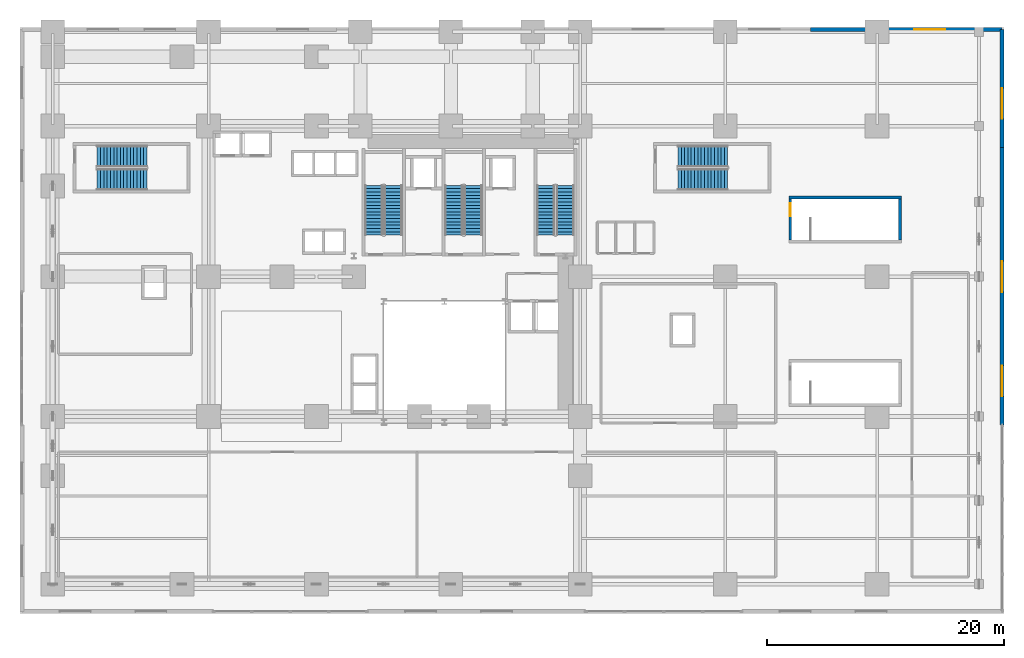
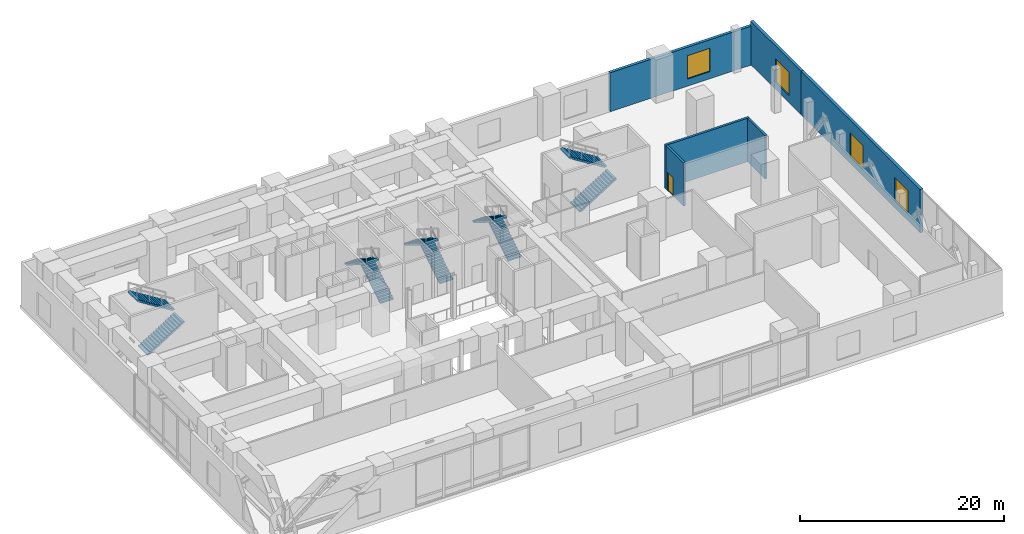
# One storey, part 14 of 17: 10 stair flights, 6 walls, 4 windows, 1 door, 5 openings, 5 elements without a shape of their own.
"""IFC4 building model written with IfcOpenShell, lengths in metres."""

from ifc_helpers import new_model, si_unit, direction, frame, frame_2d, origin, place, context, subcontext, project, spatial, polyline, rectangle, outline, extrude, source, transform, mapped, material, layer, layer_set, type_object, element, fill, aggregate, save


model = new_model("IFC4")

# Units and contexts
model_context = context("Model", 3, precision=1e-05, world=origin(), true_north=direction((0.0, 1.0)))
body_context = subcontext(model_context, "Body", "Model", "MODEL_VIEW")
ifc_project = project(units=[si_unit("LENGTHUNIT", "METRE"), si_unit("AREAUNIT", "SQUARE_METRE"), si_unit("VOLUMEUNIT", "CUBIC_METRE"), si_unit("PLANEANGLEUNIT", "RADIAN"), si_unit("MASSUNIT", "GRAM", prefix="KILO")], contexts=[model_context])

# Site, building, storey
site_placement = place(None, origin())
site = spatial("IfcSite", under=ifc_project, at=site_placement, CompositionType="ELEMENT")
building_placement = place(site_placement, origin())
building = spatial("IfcBuilding", under=site, at=building_placement, Name="Vardaveli Station Tower", CompositionType="ELEMENT")
storey_placement = place(building_placement, frame((0.0, 0.0, 11.39990234375)))
storey = spatial("IfcBuildingStorey", under=building, at=storey_placement, Name="L03", CompositionType="ELEMENT", Elevation=11.39990234375)

# Wall, opening, window
ifc_material_1 = material(Name="Precast concrete C45/55", Category="concrete")
ifc_layer_1 = layer(ifc_material_1, 0.320068359375, Name="Precast concrete C45/55")
ifc_layer_set_1 = layer_set([ifc_layer_1], Name="Precast concrete C45/55")
wall_type_1 = type_object("IfcWallType", Name="WAL-EXT-STONE-320", PredefinedType="SOLIDWALL", material=ifc_layer_set_1)
shared_shape_1 = source(origin(), body_context, "Body", "SweptSolid", [
    extrude(rectangle(XDim=16.150146484375, YDim=0.320068359375, at=frame_2d((8.0751953125, 0.0))), origin(), (0.0, 0.0, 1.0), 4.671142578125),
])
wall_1_placement = place(storey_placement, frame((83.35009765625, 49.75, 0.0), z_axis=(0.0, 0.0, 1.0), x_axis=(-1.0, 0.0, 0.0)))
wall_1 = element("IfcWall", 1, at=wall_1_placement, inside=storey, type_object=wall_type_1, Name="EW-L03-N4", PredefinedType="SOLIDWALL", context=body_context, shape_type="MappedRepresentation", body=[
    mapped(shared_shape_1, transform((0.0, 0.0, 0.0), scale=1.0)),
])
shared_shape_2 = source(origin(), body_context, "Body", "SweptSolid", [
    extrude(rectangle(XDim=2.60009765625, YDim=2.800048828125, at=frame_2d((1.300048828125, 1.39990234375))), frame((0.0, 0.169921875, 0.0), z_axis=(0.0, -1.0, 0.0), x_axis=(1.0, 0.0, 0.0)), (0.0, 0.0, 1.0), 0.340087890625),
])
opening_1_placement = place(wall_1_placement, frame((4.800048828125, 0.0, 0.85009765625)))
opening_1 = element("IfcOpeningElement", 2, at=opening_1_placement, cuts=wall_1, Name="Opening W-02", PredefinedType="OPENING", context=body_context, shape_type="MappedRepresentation", body=[
    mapped(shared_shape_2, transform((0.0, 0.0, 0.0), scale=1.0)),
])
ifc_material_2 = material(Name="Low-E solar-control glass", Category="glass")
window_type = type_object("IfcWindowType", Name="WIN-POD-2600x2800", PartitioningType="SINGLE_PANEL", PredefinedType="WINDOW", material=ifc_material_2)
shared_shape_3 = source(origin(), body_context, "Body", "SweptSolid", [
    extrude(rectangle(XDim=2.60009765625, YDim=2.800048828125, at=frame_2d((1.300048828125, 1.39990234375))), frame((0.0, 0.030029296875, 0.0), z_axis=(0.0, -1.0, 0.0), x_axis=(1.0, 0.0, 0.0)), (0.0, 0.0, 1.0), 0.06005859375),
])
window_1_placement = place(opening_1_placement, origin())
window_1 = element("IfcWindow", 3, at=window_1_placement, inside=storey, type_object=window_type, Name="WN-L03-N4A", OverallHeight=2.800048828125, OverallWidth=2.60009765625, PartitioningType="SINGLE_PANEL", PredefinedType="WINDOW", context=body_context, shape_type="MappedRepresentation", body=[
    mapped(shared_shape_3, transform((0.0, 0.0, 0.0), scale=1.0)),
])
fill(opening_1, window_1)

# Wall, openings, windows
shared_shape_4 = source(origin(), body_context, "Body", "SweptSolid", [
    extrude(rectangle(XDim=23.400146484375, YDim=0.320068359375, at=frame_2d((11.7001953125, 0.0))), origin(), (0.0, 0.0, 1.0), 5.2001953125),
])
wall_2_placement = place(storey_placement, frame((83.35009765625, 16.39990234375, 0.0), z_axis=(0.0, 0.0, 1.0), x_axis=(0.0, 1.0, 0.0)))
wall_2 = element("IfcWall", 4, at=wall_2_placement, inside=storey, type_object=wall_type_1, Name="EW-L03-E2", PredefinedType="SOLIDWALL", context=body_context, shape_type="MappedRepresentation", body=[
    mapped(shared_shape_4, transform((0.0, 0.0, 0.0), scale=1.0)),
])
opening_2_placement = place(wall_2_placement, frame((2.39990234375, 0.0, 0.85009765625)))
opening_2 = element("IfcOpeningElement", 5, at=opening_2_placement, cuts=wall_2, Name="Opening W-02", PredefinedType="OPENING", context=body_context, shape_type="MappedRepresentation", body=[
    mapped(shared_shape_2, transform((0.0, 0.0, 0.0), scale=1.0)),
])
opening_3_placement = place(wall_2_placement, frame((11.199951171875, 0.0, 0.85009765625)))
opening_3 = element("IfcOpeningElement", 6, at=opening_3_placement, cuts=wall_2, Name="Opening W-02", PredefinedType="OPENING", context=body_context, shape_type="MappedRepresentation", body=[
    mapped(shared_shape_2, transform((0.0, 0.0, 0.0), scale=1.0)),
])
window_2_placement = place(opening_2_placement, origin())
window_2 = element("IfcWindow", 7, at=window_2_placement, inside=storey, type_object=window_type, Name="WN-L03-E2A", OverallHeight=2.800048828125, OverallWidth=2.60009765625, PartitioningType="SINGLE_PANEL", PredefinedType="WINDOW", context=body_context, shape_type="MappedRepresentation", body=[
    mapped(shared_shape_3, transform((0.0, 0.0, 0.0), scale=1.0)),
])
fill(opening_2, window_2)
window_3_placement = place(opening_3_placement, origin())
window_3 = element("IfcWindow", 8, at=window_3_placement, inside=storey, type_object=window_type, Name="WN-L03-E2B", OverallHeight=2.800048828125, OverallWidth=2.60009765625, PartitioningType="SINGLE_PANEL", PredefinedType="WINDOW", context=body_context, shape_type="MappedRepresentation", body=[
    mapped(shared_shape_3, transform((0.0, 0.0, 0.0), scale=1.0)),
])
fill(opening_3, window_3)

# Wall, opening, window
shared_shape_5 = source(origin(), body_context, "Body", "SweptSolid", [
    extrude(rectangle(XDim=9.949951171875, YDim=0.320068359375, at=frame_2d((4.97509765625, 0.0))), origin(), (0.0, 0.0, 1.0), 5.2001953125),
])
wall_3_placement = place(storey_placement, frame((83.35009765625, 39.800048828125, 0.0), z_axis=(0.0, 0.0, 1.0), x_axis=(0.0, 1.0, 0.0)))
wall_3 = element("IfcWall", 9, at=wall_3_placement, inside=storey, type_object=wall_type_1, Name="EW-L03-E3", PredefinedType="SOLIDWALL", context=body_context, shape_type="MappedRepresentation", body=[
    mapped(shared_shape_5, transform((0.0, 0.0, 0.0), scale=1.0)),
])
opening_4_placement = place(wall_3_placement, frame((2.39990234375, 0.0, 0.85009765625)))
opening_4 = element("IfcOpeningElement", 10, at=opening_4_placement, cuts=wall_3, Name="Opening W-02", PredefinedType="OPENING", context=body_context, shape_type="MappedRepresentation", body=[
    mapped(shared_shape_2, transform((0.0, 0.0, 0.0), scale=1.0)),
])
window_4_placement = place(opening_4_placement, origin())
window_4 = element("IfcWindow", 11, at=window_4_placement, inside=storey, type_object=window_type, Name="WN-L03-E3A", OverallHeight=2.800048828125, OverallWidth=2.60009765625, PartitioningType="SINGLE_PANEL", PredefinedType="WINDOW", context=body_context, shape_type="MappedRepresentation", body=[
    mapped(shared_shape_3, transform((0.0, 0.0, 0.0), scale=1.0)),
])
fill(opening_4, window_4)

# Walls
ifc_material_3 = material(Name="Concrete C40/50", Category="concrete")
ifc_layer_2 = layer(ifc_material_3, 0.25, Name="Concrete C40/50")
ifc_layer_set_2 = layer_set([ifc_layer_2], Name="Concrete C40/50")
wall_type_2 = type_object("IfcWallType", Name="WAL-SHAFT-250", PredefinedType="SOLIDWALL", material=ifc_layer_set_2)
shared_shape_6 = source(origin(), body_context, "Body", "SweptSolid", [
    extrude(rectangle(XDim=9.5, YDim=0.25, at=frame_2d((4.75, 0.0))), origin(), (0.0, 0.0, 1.0), 5.2001953125),
])
wall_4_placement = place(storey_placement, frame((65.35009765625, 35.574951171875, 0.0), z_axis=(0.0, 0.0, 1.0), x_axis=(1.0, 0.0, 0.0)))
element("IfcWall", 12, at=wall_4_placement, inside=storey, type_object=wall_type_2, Name="W-L03-ST-C2N", PredefinedType="SOLIDWALL", context=body_context, shape_type="MappedRepresentation", body=[
    mapped(shared_shape_6, transform((0.0, 0.0, 0.0), scale=1.0)),
])
shared_shape_7 = source(origin(), body_context, "Body", "SweptSolid", [
    extrude(rectangle(XDim=3.449951171875, YDim=0.25, at=frame_2d((1.72509765625, 0.0))), origin(), (0.0, 0.0, 1.0), 5.2001953125),
])
wall_5_placement = place(storey_placement, frame((74.72509765625, 32.0, 0.0), z_axis=(0.0, 0.0, 1.0), x_axis=(0.0, 1.0, 0.0)))
element("IfcWall", 13, at=wall_5_placement, inside=storey, type_object=wall_type_2, Name="W-L03-ST-C2E", PredefinedType="SOLIDWALL", context=body_context, shape_type="MappedRepresentation", body=[
    mapped(shared_shape_7, transform((0.0, 0.0, 0.0), scale=1.0)),
])

# Wall, opening, door
wall_6_placement = place(storey_placement, frame((65.47509765625, 32.0, 0.0), z_axis=(0.0, 0.0, 1.0), x_axis=(0.0, 1.0, 0.0)))
wall_6 = element("IfcWall", 14, at=wall_6_placement, inside=storey, type_object=wall_type_2, Name="W-L03-ST-C2W", PredefinedType="SOLIDWALL", context=body_context, shape_type="MappedRepresentation", body=[
    mapped(shared_shape_7, transform((0.0, 0.0, 0.0), scale=1.0)),
])
shared_shape_8 = source(origin(), body_context, "Body", "SweptSolid", [
    extrude(rectangle(XDim=1.10009765625, YDim=2.199951171875, at=frame_2d((0.550048828125, 1.10009765625))), frame((0.0, 0.135009765625, 0.0), z_axis=(0.0, -1.0, 0.0), x_axis=(1.0, 0.0, 0.0)), (0.0, 0.0, 1.0), 0.27001953125),
])
opening_5_placement = place(wall_6_placement, frame((2.0, 0.0, 0.0)))
opening_5 = element("IfcOpeningElement", 15, at=opening_5_placement, cuts=wall_6, Name="Opening D-04", PredefinedType="OPENING", context=body_context, shape_type="MappedRepresentation", body=[
    mapped(shared_shape_8, transform((0.0, 0.0, 0.0), scale=1.0)),
])
ifc_material_4 = material(Name="Steel smokeproof fire doorset", Category="steel")
door_type = type_object("IfcDoorType", Name="DR-ST-1100x2200", OperationType="NOTDEFINED", PredefinedType="DOOR", material=ifc_material_4)
shared_shape_9 = source(origin(), body_context, "Body", "SweptSolid", [
    extrude(rectangle(XDim=1.10009765625, YDim=2.199951171875, at=frame_2d((0.550048828125, 1.10009765625))), frame((0.0, 0.02490234375, 0.0), z_axis=(0.0, -1.0, 0.0), x_axis=(1.0, 0.0, 0.0)), (0.0, 0.0, 1.0), 0.050048828125),
])
door_placement = place(opening_5_placement, origin())
door = element("IfcDoor", 16, at=door_placement, inside=storey, type_object=door_type, Name="DST-C2-L03", OperationType="SINGLE_SWING_RIGHT", OverallHeight=2.199951171875, OverallWidth=1.10009765625, PredefinedType="DOOR", context=body_context, shape_type="MappedRepresentation", body=[
    mapped(shared_shape_9, transform((0.0, 0.0, 0.0), scale=1.0)),
])
fill(opening_5, door)

# Stair, stair flights
stair_type_1 = type_object("IfcStairType", Name="STR-CORE-1500", PredefinedType="HALF_TURN_STAIR", material=ifc_material_3)
stair_1_placement = place(storey_placement, origin())
stair_1 = element("IfcStair", 17, at=stair_1_placement, inside=storey, type_object=stair_type_1, Name="L03 ST-1", PredefinedType="HALF_TURN_STAIR")
stair_flight_type_1 = type_object("IfcStairFlightType", Name="SFL-CORE-1500", PredefinedType="STRAIGHT", material=ifc_material_3)
shared_shape_10 = source(origin(), body_context, "Body", "SweptSolid", [
    extrude(outline(polyline([(0.0, 0.0), (0.0, 0.175048828125), (0.280029296875, 0.175048828125), (0.280029296875, 0.35009765625), (0.56005859375, 0.35009765625), (0.56005859375, 0.52490234375), (0.840087890625, 0.52490234375), (0.840087890625, 0.699951171875), (1.1201171875, 0.699951171875), (1.1201171875, 0.875), (1.39990234375, 0.875), (1.39990234375, 1.050048828125), (1.679931640625, 1.050048828125), (1.679931640625, 1.22509765625), (1.9599609375, 1.22509765625), (1.9599609375, 1.39990234375), (2.239990234375, 1.39990234375), (2.239990234375, 1.574951171875), (2.52001953125, 1.574951171875), (2.52001953125, 1.75), (2.800048828125, 1.75), (2.800048828125, 1.925048828125), (3.080078125, 1.925048828125), (3.080078125, 2.10009765625), (3.360107421875, 2.10009765625), (3.360107421875, 2.27490234375), (3.639892578125, 2.27490234375), (3.639892578125, 2.449951171875), (3.919921875, 2.449951171875), (3.919921875, 2.625), (4.199951171875, 2.625), (4.199951171875, 2.800048828125), (4.199951171875, 2.4482421875), (0.28271484375, 0.0), (0.0, 0.0)])), frame((0.0, 0.75, 0.0), z_axis=(0.0, -1.0, 0.0), x_axis=(1.0, 0.0, 0.0)), (0.0, 0.0, 1.0), 1.5),
])
stair_flight_1_placement = place(storey_placement, frame((32.0, 32.39990234375, 0.0), z_axis=(0.0, 0.0, 1.0), x_axis=(0.0, 1.0, 0.0)))
stair_flight_1 = element("IfcStairFlight", 18, at=stair_flight_1_placement, type_object=stair_flight_type_1, Name="ST-1 flight 1", NumberOfRisers=16, NumberOfTreads=15, PredefinedType="STRAIGHT", RiserHeight=0.175, TreadLength=0.28, context=body_context, shape_type="MappedRepresentation", body=[
    mapped(shared_shape_10, transform((0.0, 0.0, 0.0), scale=1.0)),
])
stair_flight_2_placement = place(storey_placement, frame((30.35009765625, 36.60009765625, 2.800048828125), z_axis=(0.0, 0.0, 1.0), x_axis=(0.0, -1.0, 0.0)))
stair_flight_2 = element("IfcStairFlight", 19, at=stair_flight_2_placement, type_object=stair_flight_type_1, Name="ST-1 flight 2", NumberOfRisers=16, NumberOfTreads=15, PredefinedType="STRAIGHT", RiserHeight=0.175, TreadLength=0.28, context=body_context, shape_type="MappedRepresentation", body=[
    mapped(shared_shape_10, transform((0.0, 0.0, 0.0), scale=1.0)),
])
aggregate(stair_1, [stair_flight_1, stair_flight_2])

stair_2_placement = place(storey_placement, origin())
stair_2 = element("IfcStair", 20, at=stair_2_placement, inside=storey, type_object=stair_type_1, Name="L03 ST-2", PredefinedType="HALF_TURN_STAIR")
stair_flight_3_placement = place(storey_placement, frame((38.75, 32.39990234375, 0.0), z_axis=(0.0, 0.0, 1.0), x_axis=(0.0, 1.0, 0.0)))
stair_flight_3 = element("IfcStairFlight", 21, at=stair_flight_3_placement, type_object=stair_flight_type_1, Name="ST-2 flight 1", NumberOfRisers=16, NumberOfTreads=15, PredefinedType="STRAIGHT", RiserHeight=0.175, TreadLength=0.28, context=body_context, shape_type="MappedRepresentation", body=[
    mapped(shared_shape_10, transform((0.0, 0.0, 0.0), scale=1.0)),
])
stair_flight_4_placement = place(storey_placement, frame((37.10009765625, 36.60009765625, 2.800048828125), z_axis=(0.0, 0.0, 1.0), x_axis=(0.0, -1.0, 0.0)))
stair_flight_4 = element("IfcStairFlight", 22, at=stair_flight_4_placement, type_object=stair_flight_type_1, Name="ST-2 flight 2", NumberOfRisers=16, NumberOfTreads=15, PredefinedType="STRAIGHT", RiserHeight=0.175, TreadLength=0.28, context=body_context, shape_type="MappedRepresentation", body=[
    mapped(shared_shape_10, transform((0.0, 0.0, 0.0), scale=1.0)),
])
aggregate(stair_2, [stair_flight_3, stair_flight_4])

stair_3_placement = place(storey_placement, origin())
stair_3 = element("IfcStair", 23, at=stair_3_placement, inside=storey, type_object=stair_type_1, Name="L03 ST-3", PredefinedType="HALF_TURN_STAIR")
stair_flight_5_placement = place(storey_placement, frame((46.5, 32.39990234375, 0.0), z_axis=(0.0, 0.0, 1.0), x_axis=(0.0, 1.0, 0.0)))
stair_flight_5 = element("IfcStairFlight", 24, at=stair_flight_5_placement, type_object=stair_flight_type_1, Name="ST-3 flight 1", NumberOfRisers=16, NumberOfTreads=15, PredefinedType="STRAIGHT", RiserHeight=0.175, TreadLength=0.28, context=body_context, shape_type="MappedRepresentation", body=[
    mapped(shared_shape_10, transform((0.0, 0.0, 0.0), scale=1.0)),
])
stair_flight_6_placement = place(storey_placement, frame((44.85009765625, 36.60009765625, 2.800048828125), z_axis=(0.0, 0.0, 1.0), x_axis=(0.0, -1.0, 0.0)))
stair_flight_6 = element("IfcStairFlight", 25, at=stair_flight_6_placement, type_object=stair_flight_type_1, Name="ST-3 flight 2", NumberOfRisers=16, NumberOfTreads=15, PredefinedType="STRAIGHT", RiserHeight=0.175, TreadLength=0.28, context=body_context, shape_type="MappedRepresentation", body=[
    mapped(shared_shape_10, transform((0.0, 0.0, 0.0), scale=1.0)),
])
aggregate(stair_3, [stair_flight_5, stair_flight_6])

stair_type_2 = type_object("IfcStairType", Name="STR-POD-1800", PredefinedType="HALF_TURN_STAIR", material=ifc_material_3)
stair_4_placement = place(storey_placement, origin())
stair_4 = element("IfcStair", 26, at=stair_4_placement, inside=storey, type_object=stair_type_2, Name="L03 ST-P1", PredefinedType="HALF_TURN_STAIR")
stair_flight_type_2 = type_object("IfcStairFlightType", Name="SFL-POD-1800", PredefinedType="STRAIGHT", material=ifc_material_3)
shared_shape_11 = source(origin(), body_context, "Body", "SweptSolid", [
    extrude(outline(polyline([(0.0, 0.0), (0.0, 0.175048828125), (0.280029296875, 0.175048828125), (0.280029296875, 0.35009765625), (0.56005859375, 0.35009765625), (0.56005859375, 0.52490234375), (0.840087890625, 0.52490234375), (0.840087890625, 0.699951171875), (1.1201171875, 0.699951171875), (1.1201171875, 0.875), (1.39990234375, 0.875), (1.39990234375, 1.050048828125), (1.679931640625, 1.050048828125), (1.679931640625, 1.22509765625), (1.9599609375, 1.22509765625), (1.9599609375, 1.39990234375), (2.239990234375, 1.39990234375), (2.239990234375, 1.574951171875), (2.52001953125, 1.574951171875), (2.52001953125, 1.75), (2.800048828125, 1.75), (2.800048828125, 1.925048828125), (3.080078125, 1.925048828125), (3.080078125, 2.10009765625), (3.360107421875, 2.10009765625), (3.360107421875, 2.27490234375), (3.639892578125, 2.27490234375), (3.639892578125, 2.449951171875), (3.919921875, 2.449951171875), (3.919921875, 2.625), (4.199951171875, 2.625), (4.199951171875, 2.800048828125), (4.199951171875, 2.4482421875), (0.28271484375, 0.0), (0.0, 0.0)])), frame((0.0, 0.89990234375, 0.0), z_axis=(0.0, -1.0, 0.0), x_axis=(1.0, 0.0, 0.0)), (0.0, 0.0, 1.0), 1.800048828125),
])
stair_flight_7_placement = place(storey_placement, frame((7.0, 37.10009765625, 0.0), z_axis=(0.0, 0.0, 1.0), x_axis=(1.0, 0.0, 0.0)))
stair_flight_7 = element("IfcStairFlight", 27, at=stair_flight_7_placement, type_object=stair_flight_type_2, Name="ST-P1 flight 1", NumberOfRisers=16, NumberOfTreads=15, PredefinedType="STRAIGHT", RiserHeight=0.175, TreadLength=0.28, context=body_context, shape_type="MappedRepresentation", body=[
    mapped(shared_shape_11, transform((0.0, 0.0, 0.0), scale=1.0)),
])
stair_flight_8_placement = place(storey_placement, frame((11.199951171875, 39.050048828125, 2.800048828125), z_axis=(0.0, 0.0, 1.0), x_axis=(-1.0, 0.0, 0.0)))
stair_flight_8 = element("IfcStairFlight", 28, at=stair_flight_8_placement, type_object=stair_flight_type_2, Name="ST-P1 flight 2", NumberOfRisers=16, NumberOfTreads=15, PredefinedType="STRAIGHT", RiserHeight=0.175, TreadLength=0.28, context=body_context, shape_type="MappedRepresentation", body=[
    mapped(shared_shape_11, transform((0.0, 0.0, 0.0), scale=1.0)),
])
aggregate(stair_4, [stair_flight_7, stair_flight_8])

stair_5_placement = place(storey_placement, origin())
stair_5 = element("IfcStair", 29, at=stair_5_placement, inside=storey, type_object=stair_type_2, Name="L03 ST-P2", PredefinedType="HALF_TURN_STAIR")
stair_flight_9_placement = place(storey_placement, frame((56.0, 37.10009765625, 0.0), z_axis=(0.0, 0.0, 1.0), x_axis=(1.0, 0.0, 0.0)))
stair_flight_9 = element("IfcStairFlight", 30, at=stair_flight_9_placement, type_object=stair_flight_type_2, Name="ST-P2 flight 1", NumberOfRisers=16, NumberOfTreads=15, PredefinedType="STRAIGHT", RiserHeight=0.175, TreadLength=0.28, context=body_context, shape_type="MappedRepresentation", body=[
    mapped(shared_shape_11, transform((0.0, 0.0, 0.0), scale=1.0)),
])
stair_flight_10_placement = place(storey_placement, frame((60.199951171875, 39.050048828125, 2.800048828125), z_axis=(0.0, 0.0, 1.0), x_axis=(-1.0, 0.0, 0.0)))
stair_flight_10 = element("IfcStairFlight", 31, at=stair_flight_10_placement, type_object=stair_flight_type_2, Name="ST-P2 flight 2", NumberOfRisers=16, NumberOfTreads=15, PredefinedType="STRAIGHT", RiserHeight=0.175, TreadLength=0.28, context=body_context, shape_type="MappedRepresentation", body=[
    mapped(shared_shape_11, transform((0.0, 0.0, 0.0), scale=1.0)),
])
aggregate(stair_5, [stair_flight_9, stair_flight_10])

save(model, "model.ifc")
